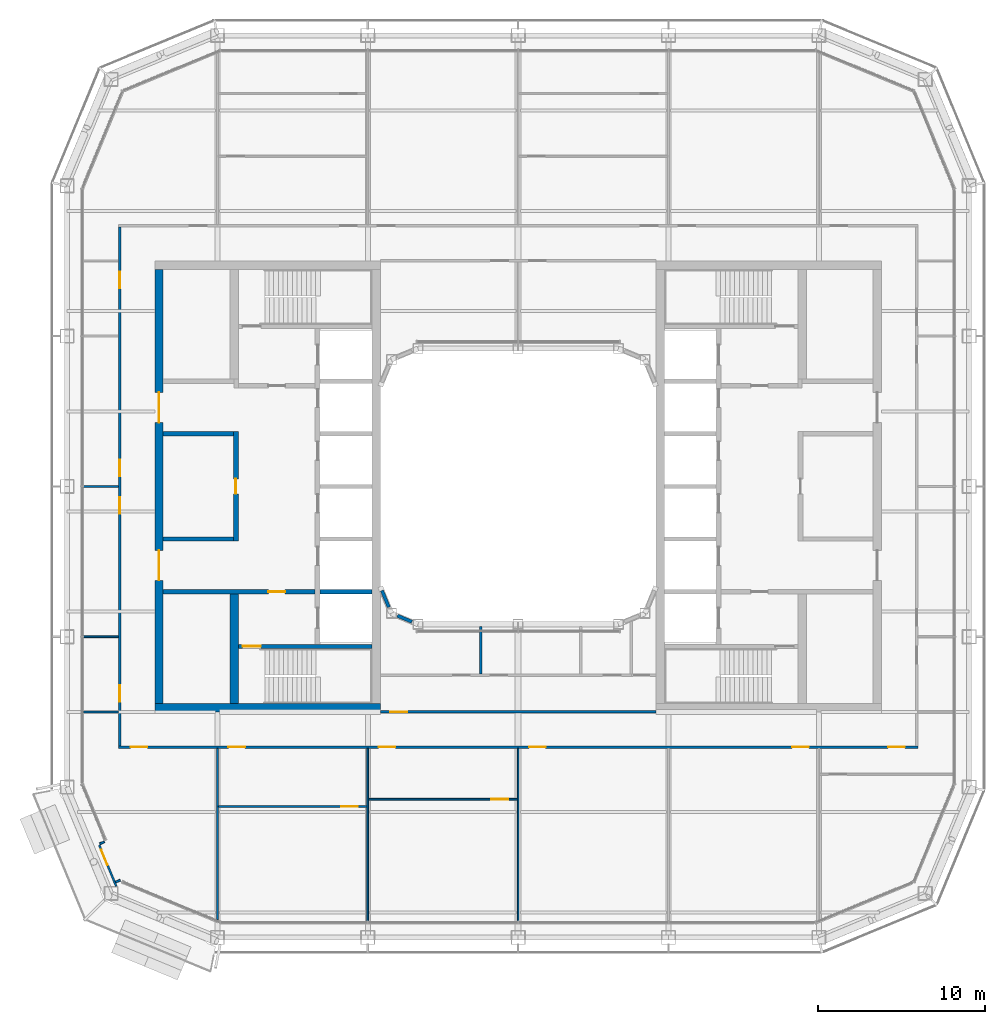
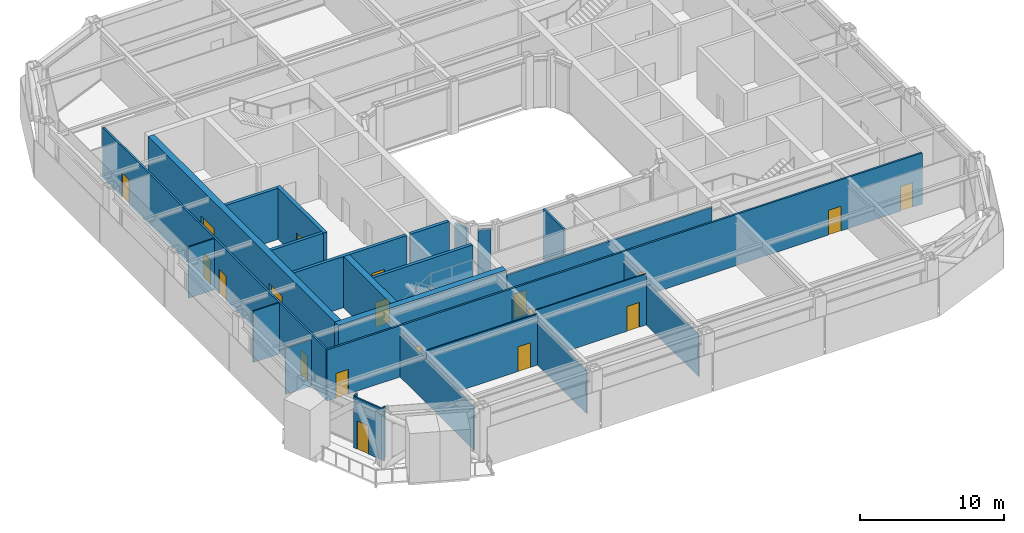
# One storey, part 13 of 23: 26 walls, 19 doors, 19 openings.
"""IFC4 building model written with IfcOpenShell, lengths in metres."""

from ifc_helpers import new_model, si_unit, direction, frame, frame_2d, origin, place, context, subcontext, project, spatial, rectangle, extrude, material, layer, layer_set, type_object, element, fill, save


model = new_model("IFC4")

# Units and contexts
model_context = context("Model", 3, precision=1e-05, world=origin(), true_north=direction((0.0, 1.0)))
body_context = subcontext(model_context, "Body", "Model", "MODEL_VIEW")
ifc_project = project(units=[si_unit("LENGTHUNIT", "METRE"), si_unit("AREAUNIT", "SQUARE_METRE"), si_unit("VOLUMEUNIT", "CUBIC_METRE"), si_unit("PLANEANGLEUNIT", "RADIAN"), si_unit("MASSUNIT", "GRAM", prefix="KILO")], contexts=[model_context])

# Site, building, storey
site_placement = place(None, origin())
site = spatial("IfcSite", under=ifc_project, at=site_placement, CompositionType="ELEMENT")
building_placement = place(site_placement, origin())
building = spatial("IfcBuilding", under=site, at=building_placement, Name="Siwar Civic Tower", CompositionType="ELEMENT")
storey_placement = place(building_placement, frame((0.0, 0.0, 233.199951171875)))
storey = spatial("IfcBuildingStorey", under=building, at=storey_placement, Name="L50", CompositionType="ELEMENT", Elevation=233.199951171875)

# Wall, opening, door
ifc_material_1 = material(Name="Concrete C60/75", Category="concrete")
ifc_layer_1 = layer(ifc_material_1, 0.25)
ifc_layer_set_1 = layer_set([ifc_layer_1], Name="Concrete C60/75")
wall_type_1 = type_object("IfcWallType", Name="CORE-WALL-RC250", PredefinedType="SHEAR", material=ifc_layer_set_1)
wall_1_placement = place(storey_placement, frame((-12.14990234375, -6.300048828125, 0.0), z_axis=(0.0, 0.0, 1.0), x_axis=(-1.0, 0.0, 0.0)))
wall_1 = element("IfcWall", 1, at=wall_1_placement, inside=storey, type_object=wall_type_1, Name="Core wall W", PredefinedType="SHEAR", context=body_context, shape_type="SweptSolid", body=[
    extrude(rectangle(XDim=9.10009765625, YDim=0.25, at=frame_2d((4.550048828125, 0.0))), origin(), (0.0, 0.0, 1.0), 4.35009765625),
])
opening_1_placement = place(wall_1_placement, frame((1.800048828125, 0.0, 0.0)))
opening_1 = element("IfcOpeningElement", 2, at=opening_1_placement, cuts=wall_1, Name="Opening L50-CW02", PredefinedType="OPENING", context=body_context, shape_type="SweptSolid", body=[
    extrude(rectangle(XDim=1.0, YDim=2.10009765625, at=frame_2d((0.5, 1.050048828125))), frame((0.0, 0.135009765625, 0.0), z_axis=(0.0, -1.0, 0.0), x_axis=(1.0, 0.0, 0.0)), (0.0, 0.0, 1.0), 0.27001953125),
])
ifc_material_2 = material(Name="Steel door leaf", Category="steel")
door_type_1 = type_object("IfcDoorType", Name="CORE-DOOR-FD30S", OperationType="SINGLE_SWING_LEFT", PredefinedType="DOOR", material=ifc_material_2)
door_1_placement = place(opening_1_placement, origin())
door_1 = element("IfcDoor", 3, at=door_1_placement, inside=storey, type_object=door_type_1, Name="Service lobby door L50-CW02", OperationType="SINGLE_SWING_RIGHT", OverallHeight=2.10009765625, OverallWidth=1.0, PredefinedType="DOOR", context=body_context, shape_type="SweptSolid", body=[
    extrude(rectangle(XDim=1.0, YDim=2.10009765625, at=frame_2d((0.5, 1.050048828125))), frame((0.0, 0.02490234375, 0.0), z_axis=(0.0, -1.0, 0.0), x_axis=(1.0, 0.0, 0.0)), (0.0, 0.0, 1.0), 0.050048828125),
])
fill(opening_1, door_1)

# Walls
for number, where, z_axis, x_axis, name in (
    (4, (-17.050048828125, 3.14990234375, 0.0), (0.0, 0.0, 1.0), (-1.0, 0.0, 0.0), "Core wall W"),
    (5, (-17.050048828125, -3.14990234375, 0.0), (0.0, 0.0, 1.0), (-1.0, 0.0, 0.0), "Core wall W"),
):
    element("IfcWall", number, at=place(storey_placement, frame(where, z_axis=z_axis, x_axis=x_axis)), inside=storey, type_object=wall_type_1, Name=name, PredefinedType="SHEAR", context=body_context, shape_type="SweptSolid", body=[
        extrude(rectangle(XDim=4.199951171875, YDim=0.25, at=frame_2d((2.10009765625, 0.0))), origin(), (0.0, 0.0, 1.0), 4.35009765625),
    ])
wall_2_placement = place(storey_placement, frame((-8.75, -6.300048828125, 0.0), z_axis=(0.0, 0.0, 1.0), x_axis=(-1.0, 0.0, 0.0)))
element("IfcWall", 6, at=wall_2_placement, inside=storey, type_object=wall_type_1, Name="Core wall W", PredefinedType="SHEAR", context=body_context, shape_type="SweptSolid", body=[
    extrude(rectangle(XDim=3.10009765625, YDim=0.25, at=frame_2d((1.550048828125, 0.0))), origin(), (0.0, 0.0, 1.0), 4.35009765625),
])

# Wall, opening, door
wall_3_placement = place(storey_placement, frame((-8.75, -9.574951171875, 0.0), z_axis=(0.0, 0.0, 1.0), x_axis=(-1.0, 0.0, 0.0)))
wall_3 = element("IfcWall", 7, at=wall_3_placement, inside=storey, type_object=wall_type_1, Name="Core wall W", PredefinedType="SHEAR", context=body_context, shape_type="SweptSolid", body=[
    extrude(rectangle(XDim=8.0, YDim=0.25, at=frame_2d((4.0, 0.0))), origin(), (0.0, 0.0, 1.0), 4.35009765625),
])
opening_2_placement = place(wall_3_placement, frame((6.64990234375, 0.0, 0.0)))
opening_2 = element("IfcOpeningElement", 8, at=opening_2_placement, cuts=wall_3, Name="Opening L50-CW04", PredefinedType="OPENING", context=body_context, shape_type="SweptSolid", body=[
    extrude(rectangle(XDim=1.10009765625, YDim=2.10009765625, at=frame_2d((0.550048828125, 1.050048828125))), frame((0.0, 0.135009765625, 0.0), z_axis=(0.0, -1.0, 0.0), x_axis=(1.0, 0.0, 0.0)), (0.0, 0.0, 1.0), 0.27001953125),
])
ifc_material_3 = material(Name="Steel door leaf", Category="steel")
door_type_2 = type_object("IfcDoorType", Name="CORE-DOOR-FD60S", OperationType="SINGLE_SWING_LEFT", PredefinedType="DOOR", material=ifc_material_3)
door_2_placement = place(opening_2_placement, origin())
door_2 = element("IfcDoor", 9, at=door_2_placement, inside=storey, type_object=door_type_2, Name="Stair door L50-CW04", OperationType="SINGLE_SWING_LEFT", OverallHeight=2.10009765625, OverallWidth=1.10009765625, PredefinedType="DOOR", context=body_context, shape_type="SweptSolid", body=[
    extrude(rectangle(XDim=1.10009765625, YDim=2.10009765625, at=frame_2d((0.550048828125, 1.050048828125))), frame((0.0, 0.02490234375, 0.0), z_axis=(0.0, -1.0, 0.0), x_axis=(1.0, 0.0, 0.0)), (0.0, 0.0, 1.0), 0.050048828125),
])
fill(opening_2, door_2)

ifc_material_4 = material(Name="Concrete C60/75", Category="concrete")
ifc_layer_2 = layer(ifc_material_4, 0.300048828125)
ifc_layer_set_2 = layer_set([ifc_layer_2], Name="Concrete C60/75")
wall_type_2 = type_object("IfcWallType", Name="CORE-WALL-RC300", PredefinedType="SHEAR", material=ifc_layer_set_2)
wall_4_placement = place(storey_placement, frame((-16.89990234375, -3.27490234375, 0.0), z_axis=(0.0, 0.0, 1.0), x_axis=(0.0, 1.0, 0.0)))
wall_4 = element("IfcWall", 10, at=wall_4_placement, inside=storey, type_object=wall_type_2, Name="Core wall W", PredefinedType="SHEAR", context=body_context, shape_type="SweptSolid", body=[
    extrude(rectangle(XDim=6.5498046875, YDim=0.300048828125, at=frame_2d((3.27490234375, 0.0))), origin(), (0.0, 0.0, 1.0), 4.35009765625),
])
opening_3_placement = place(wall_4_placement, frame((2.824951171875, 0.0, 0.0)))
opening_3 = element("IfcOpeningElement", 11, at=opening_3_placement, cuts=wall_4, Name="Opening L50-CW13", PredefinedType="OPENING", context=body_context, shape_type="SweptSolid", body=[
    extrude(rectangle(XDim=0.89990234375, YDim=2.10009765625, at=frame_2d((0.449951171875, 1.050048828125))), frame((0.0, 0.16015625, 0.0), z_axis=(0.0, -1.0, 0.0), x_axis=(1.0, 0.0, 0.0)), (0.0, 0.0, 1.0), 0.320068359375),
])
ifc_material_5 = material(Name="Steel door leaf", Category="steel")
door_type_3 = type_object("IfcDoorType", Name="CORE-DOOR-ROOM", OperationType="SINGLE_SWING_LEFT", PredefinedType="DOOR", material=ifc_material_5)
door_3_placement = place(opening_3_placement, origin())
door_3 = element("IfcDoor", 12, at=door_3_placement, inside=storey, type_object=door_type_3, Name="Core room door L50-CW13", OperationType="SINGLE_SWING_RIGHT", OverallHeight=2.10009765625, OverallWidth=0.89990234375, PredefinedType="DOOR", context=body_context, shape_type="SweptSolid", body=[
    extrude(rectangle(XDim=0.89990234375, YDim=2.10009765625, at=frame_2d((0.449951171875, 1.050048828125))), frame((0.0, 0.02490234375, 0.0), z_axis=(0.0, -1.0, 0.0), x_axis=(1.0, 0.0, 0.0)), (0.0, 0.0, 1.0), 0.050048828125),
])
fill(opening_3, door_3)

# Wall, openings, doors
ifc_material_6 = material(Name="Concrete C60/75", Category="concrete")
ifc_layer_3 = layer(ifc_material_6, 0.5)
ifc_layer_set_3 = layer_set([ifc_layer_3], Name="Concrete C60/75")
wall_type_3 = type_object("IfcWallType", Name="CORE-WALL-RC500", PredefinedType="SHEAR", material=ifc_layer_set_3)
wall_5_placement = place(storey_placement, frame((-21.5, -13.0, 0.0), z_axis=(0.0, 0.0, 1.0), x_axis=(0.0, 1.0, 0.0)))
wall_5 = element("IfcWall", 13, at=wall_5_placement, inside=storey, type_object=wall_type_3, Name="Core wall W", PredefinedType="SHEAR", context=body_context, shape_type="SweptSolid", body=[
    extrude(rectangle(XDim=26.0, YDim=0.5, at=frame_2d((13.0, 0.0))), origin(), (0.0, 0.0, 1.0), 4.35009765625),
])
opening_4_placement = place(wall_5_placement, frame((16.824951171875, 0.0, 0.0)))
opening_4 = element("IfcOpeningElement", 14, at=opening_4_placement, cuts=wall_5, Name="Opening L50-CW05", PredefinedType="OPENING", context=body_context, shape_type="SweptSolid", body=[
    extrude(rectangle(XDim=1.800048828125, YDim=2.10009765625, at=frame_2d((0.89990234375, 1.050048828125))), frame((0.0, 0.260009765625, 0.0), z_axis=(0.0, -1.0, 0.0), x_axis=(1.0, 0.0, 0.0)), (0.0, 0.0, 1.0), 0.52001953125),
])
opening_5_placement = place(wall_5_placement, frame((7.375, 0.0, 0.0)))
opening_5 = element("IfcOpeningElement", 15, at=opening_5_placement, cuts=wall_5, Name="Opening L50-CW06", PredefinedType="OPENING", context=body_context, shape_type="SweptSolid", body=[
    extrude(rectangle(XDim=1.800048828125, YDim=2.10009765625, at=frame_2d((0.89990234375, 1.050048828125))), frame((0.0, 0.260009765625, 0.0), z_axis=(0.0, -1.0, 0.0), x_axis=(1.0, 0.0, 0.0)), (0.0, 0.0, 1.0), 0.52001953125),
])
ifc_material_7 = material(Name="Steel door leaf", Category="steel")
door_type_4 = type_object("IfcDoorType", Name="CORE-DOOR-PORT", OperationType="DOUBLE_DOOR_DOUBLE_SWING", PredefinedType="DOOR", material=ifc_material_7)
door_4_placement = place(opening_4_placement, origin())
door_4 = element("IfcDoor", 16, at=door_4_placement, inside=storey, type_object=door_type_4, Name="Core entrance door L50-CW05", OperationType="DOUBLE_DOOR_DOUBLE_SWING", OverallHeight=2.10009765625, OverallWidth=1.800048828125, PredefinedType="DOOR", context=body_context, shape_type="SweptSolid", body=[
    extrude(rectangle(XDim=1.800048828125, YDim=2.10009765625, at=frame_2d((0.89990234375, 1.050048828125))), frame((0.0, 0.02490234375, 0.0), z_axis=(0.0, -1.0, 0.0), x_axis=(1.0, 0.0, 0.0)), (0.0, 0.0, 1.0), 0.050048828125),
])
fill(opening_4, door_4)
door_5_placement = place(opening_5_placement, origin())
door_5 = element("IfcDoor", 17, at=door_5_placement, inside=storey, type_object=door_type_4, Name="Core entrance door L50-CW06", OperationType="DOUBLE_DOOR_DOUBLE_SWING", OverallHeight=2.10009765625, OverallWidth=1.800048828125, PredefinedType="DOOR", context=body_context, shape_type="SweptSolid", body=[
    extrude(rectangle(XDim=1.800048828125, YDim=2.10009765625, at=frame_2d((0.89990234375, 1.050048828125))), frame((0.0, 0.02490234375, 0.0), z_axis=(0.0, -1.0, 0.0), x_axis=(1.0, 0.0, 0.0)), (0.0, 0.0, 1.0), 0.050048828125),
])
fill(opening_5, door_5)

# Walls
wall_6_placement = place(storey_placement, frame((-17.0, -13.0, 0.0), z_axis=(0.0, 0.0, 1.0), x_axis=(0.0, 1.0, 0.0)))
element("IfcWall", 18, at=wall_6_placement, inside=storey, type_object=wall_type_3, Name="Core wall W", PredefinedType="SHEAR", context=body_context, shape_type="SweptSolid", body=[
    extrude(rectangle(XDim=6.574951171875, YDim=0.5, at=frame_2d((3.28759765625, 0.0))), origin(), (0.0, 0.0, 1.0), 4.35009765625),
])
wall_7_placement = place(storey_placement, frame((-8.25, -13.25, 0.0), z_axis=(0.0, 0.0, 1.0), x_axis=(-1.0, 0.0, 0.0)))
element("IfcWall", 19, at=wall_7_placement, inside=storey, type_object=wall_type_3, Name="Core wall W", PredefinedType="SHEAR", context=body_context, shape_type="SweptSolid", body=[
    extrude(rectangle(XDim=13.5, YDim=0.5, at=frame_2d((6.75, 0.0))), origin(), (0.0, 0.0, 1.0), 4.35009765625),
])

# Wall, openings, doors
ifc_material_8 = material(Name="Gypsum board on steel studs", Category="steel")
ifc_layer_4 = layer(ifc_material_8, 0.14990234375)
ifc_layer_set_4 = layer_set([ifc_layer_4], Name="Gypsum board on steel studs")
wall_type_4 = type_object("IfcWallType", Name="CORRIDOR PARTITION 150 EI 30", PredefinedType="PARTITIONING", material=ifc_layer_set_4)
wall_8_placement = place(storey_placement, frame((-23.925048828125, -15.60009765625, 0.0), z_axis=(0.0, 0.0, 1.0), x_axis=(1.0, 0.0, 0.0)))
wall_8 = element("IfcWall", 20, at=wall_8_placement, inside=storey, type_object=wall_type_4, Name="L50/wall/P04", PredefinedType="PARTITIONING", context=body_context, shape_type="SweptSolid", body=[
    extrude(rectangle(XDim=47.85009765625, YDim=0.14990234375, at=frame_2d((23.925048828125, 0.0))), origin(), (0.0, 0.0, 1.0), 4.35009765625),
])
opening_6_placement = place(wall_8_placement, frame((6.574951171875, 0.0, 0.0)))
opening_6 = element("IfcOpeningElement", 21, at=opening_6_placement, cuts=wall_8, Name="Opening D1", PredefinedType="OPENING", context=body_context, shape_type="SweptSolid", body=[
    extrude(rectangle(XDim=1.0, YDim=2.10009765625, at=frame_2d((0.5, 1.050048828125))), frame((0.0, 0.0849609375, 0.0), z_axis=(0.0, -1.0, 0.0), x_axis=(1.0, 0.0, 0.0)), (0.0, 0.0, 1.0), 0.169921875),
])
opening_7_placement = place(wall_8_placement, frame((15.574951171875, 0.0, 0.0)))
opening_7 = element("IfcOpeningElement", 22, at=opening_7_placement, cuts=wall_8, Name="Opening D1", PredefinedType="OPENING", context=body_context, shape_type="SweptSolid", body=[
    extrude(rectangle(XDim=1.0, YDim=2.10009765625, at=frame_2d((0.5, 1.050048828125))), frame((0.0, 0.0849609375, 0.0), z_axis=(0.0, -1.0, 0.0), x_axis=(1.0, 0.0, 0.0)), (0.0, 0.0, 1.0), 0.169921875),
])
opening_8_placement = place(wall_8_placement, frame((24.574951171875, 0.0, 0.0)))
opening_8 = element("IfcOpeningElement", 23, at=opening_8_placement, cuts=wall_8, Name="Opening D1", PredefinedType="OPENING", context=body_context, shape_type="SweptSolid", body=[
    extrude(rectangle(XDim=1.0, YDim=2.10009765625, at=frame_2d((0.5, 1.050048828125))), frame((0.0, 0.0849609375, 0.0), z_axis=(0.0, -1.0, 0.0), x_axis=(1.0, 0.0, 0.0)), (0.0, 0.0, 1.0), 0.169921875),
])
opening_9_placement = place(wall_8_placement, frame((40.324951171875, 0.0, 0.0)))
opening_9 = element("IfcOpeningElement", 24, at=opening_9_placement, cuts=wall_8, Name="Opening D1", PredefinedType="OPENING", context=body_context, shape_type="SweptSolid", body=[
    extrude(rectangle(XDim=1.0, YDim=2.10009765625, at=frame_2d((0.5, 1.050048828125))), frame((0.0, 0.0849609375, 0.0), z_axis=(0.0, -1.0, 0.0), x_axis=(1.0, 0.0, 0.0)), (0.0, 0.0, 1.0), 0.169921875),
])
opening_10_placement = place(wall_8_placement, frame((0.72509765625, 0.0, 0.0)))
opening_10 = element("IfcOpeningElement", 25, at=opening_10_placement, cuts=wall_8, Name="Opening D1", PredefinedType="OPENING", context=body_context, shape_type="SweptSolid", body=[
    extrude(rectangle(XDim=1.0, YDim=2.10009765625, at=frame_2d((0.5, 1.050048828125))), frame((0.0, 0.0849609375, 0.0), z_axis=(0.0, -1.0, 0.0), x_axis=(1.0, 0.0, 0.0)), (0.0, 0.0, 1.0), 0.169921875),
])
opening_11_placement = place(wall_8_placement, frame((46.074951171875, 0.0, 0.0)))
opening_11 = element("IfcOpeningElement", 26, at=opening_11_placement, cuts=wall_8, Name="Opening D1", PredefinedType="OPENING", context=body_context, shape_type="SweptSolid", body=[
    extrude(rectangle(XDim=1.0, YDim=2.10009765625, at=frame_2d((0.5, 1.050048828125))), frame((0.0, 0.0849609375, 0.0), z_axis=(0.0, -1.0, 0.0), x_axis=(1.0, 0.0, 0.0)), (0.0, 0.0, 1.0), 0.169921875),
])
ifc_material_9 = material(Name="Timber, painted", Category="wood")
door_type_5 = type_object("IfcDoorType", Name="DOOR 1000 X 2100 FD30", OperationType="SINGLE_SWING_LEFT", PredefinedType="DOOR", material=ifc_material_9)
door_6_placement = place(opening_6_placement, origin())
door_6 = element("IfcDoor", 27, at=door_6_placement, inside=storey, type_object=door_type_5, Name="L50-D09", OperationType="SINGLE_SWING_LEFT", OverallHeight=2.10009765625, OverallWidth=1.0, PredefinedType="DOOR", context=body_context, shape_type="SweptSolid", body=[
    extrude(rectangle(XDim=1.0, YDim=2.10009765625, at=frame_2d((0.5, 1.050048828125))), frame((0.0, 0.02490234375, 0.0), z_axis=(0.0, -1.0, 0.0), x_axis=(1.0, 0.0, 0.0)), (0.0, 0.0, 1.0), 0.050048828125),
])
fill(opening_6, door_6)
door_7_placement = place(opening_7_placement, origin())
door_7 = element("IfcDoor", 28, at=door_7_placement, inside=storey, type_object=door_type_5, Name="L50-D11", OperationType="SINGLE_SWING_LEFT", OverallHeight=2.10009765625, OverallWidth=1.0, PredefinedType="DOOR", context=body_context, shape_type="SweptSolid", body=[
    extrude(rectangle(XDim=1.0, YDim=2.10009765625, at=frame_2d((0.5, 1.050048828125))), frame((0.0, 0.02490234375, 0.0), z_axis=(0.0, -1.0, 0.0), x_axis=(1.0, 0.0, 0.0)), (0.0, 0.0, 1.0), 0.050048828125),
])
fill(opening_7, door_7)
door_8_placement = place(opening_8_placement, origin())
door_8 = element("IfcDoor", 29, at=door_8_placement, inside=storey, type_object=door_type_5, Name="L50-D13", OperationType="SINGLE_SWING_LEFT", OverallHeight=2.10009765625, OverallWidth=1.0, PredefinedType="DOOR", context=body_context, shape_type="SweptSolid", body=[
    extrude(rectangle(XDim=1.0, YDim=2.10009765625, at=frame_2d((0.5, 1.050048828125))), frame((0.0, 0.02490234375, 0.0), z_axis=(0.0, -1.0, 0.0), x_axis=(1.0, 0.0, 0.0)), (0.0, 0.0, 1.0), 0.050048828125),
])
fill(opening_8, door_8)
door_9_placement = place(opening_9_placement, origin())
door_9 = element("IfcDoor", 30, at=door_9_placement, inside=storey, type_object=door_type_5, Name="L50-D14", OperationType="SINGLE_SWING_RIGHT", OverallHeight=2.10009765625, OverallWidth=1.0, PredefinedType="DOOR", context=body_context, shape_type="SweptSolid", body=[
    extrude(rectangle(XDim=1.0, YDim=2.10009765625, at=frame_2d((0.5, 1.050048828125))), frame((0.0, 0.02490234375, 0.0), z_axis=(0.0, -1.0, 0.0), x_axis=(1.0, 0.0, 0.0)), (0.0, 0.0, 1.0), 0.050048828125),
])
fill(opening_9, door_9)
door_10_placement = place(opening_10_placement, origin())
door_10 = element("IfcDoor", 31, at=door_10_placement, inside=storey, type_object=door_type_5, Name="L50-D17", OperationType="SINGLE_SWING_LEFT", OverallHeight=2.10009765625, OverallWidth=1.0, PredefinedType="DOOR", context=body_context, shape_type="SweptSolid", body=[
    extrude(rectangle(XDim=1.0, YDim=2.10009765625, at=frame_2d((0.5, 1.050048828125))), frame((0.0, 0.02490234375, 0.0), z_axis=(0.0, -1.0, 0.0), x_axis=(1.0, 0.0, 0.0)), (0.0, 0.0, 1.0), 0.050048828125),
])
fill(opening_10, door_10)
door_11_placement = place(opening_11_placement, origin())
door_11 = element("IfcDoor", 32, at=door_11_placement, inside=storey, type_object=door_type_5, Name="L50-D18", OperationType="SINGLE_SWING_RIGHT", OverallHeight=2.10009765625, OverallWidth=1.0, PredefinedType="DOOR", context=body_context, shape_type="SweptSolid", body=[
    extrude(rectangle(XDim=1.0, YDim=2.10009765625, at=frame_2d((0.5, 1.050048828125))), frame((0.0, 0.02490234375, 0.0), z_axis=(0.0, -1.0, 0.0), x_axis=(1.0, 0.0, 0.0)), (0.0, 0.0, 1.0), 0.050048828125),
])
fill(opening_11, door_11)

# Wall, opening, door
wall_9_placement = place(storey_placement, frame((-8.25, -13.5, 0.0), z_axis=(0.0, 0.0, 1.0), x_axis=(1.0, 0.0, 0.0)))
wall_9 = element("IfcWall", 33, at=wall_9_placement, inside=storey, type_object=wall_type_4, Name="L50/wall/P07", PredefinedType="PARTITIONING", context=body_context, shape_type="SweptSolid", body=[
    extrude(rectangle(XDim=16.5, YDim=0.14990234375, at=frame_2d((8.25, 0.0))), origin(), (0.0, 0.0, 1.0), 3.949951171875),
])
opening_12_placement = place(wall_9_placement, frame((0.60009765625, 0.0, 0.0)))
opening_12 = element("IfcOpeningElement", 34, at=opening_12_placement, cuts=wall_9, Name="Opening D1", PredefinedType="OPENING", context=body_context, shape_type="SweptSolid", body=[
    extrude(rectangle(XDim=1.0, YDim=2.10009765625, at=frame_2d((0.5, 1.050048828125))), frame((0.0, 0.0849609375, 0.0), z_axis=(0.0, -1.0, 0.0), x_axis=(1.0, 0.0, 0.0)), (0.0, 0.0, 1.0), 0.169921875),
])
door_12_placement = place(opening_12_placement, origin())
door_12 = element("IfcDoor", 35, at=door_12_placement, inside=storey, type_object=door_type_5, Name="L50-D30", OperationType="SINGLE_SWING_RIGHT", OverallHeight=2.10009765625, OverallWidth=1.0, PredefinedType="DOOR", context=body_context, shape_type="SweptSolid", body=[
    extrude(rectangle(XDim=1.0, YDim=2.10009765625, at=frame_2d((0.5, 1.050048828125))), frame((0.0, 0.02490234375, 0.0), z_axis=(0.0, -1.0, 0.0), x_axis=(1.0, 0.0, 0.0)), (0.0, 0.0, 1.0), 0.050048828125),
])
fill(opening_12, door_12)

# Wall, openings, doors
wall_10_placement = place(storey_placement, frame((-23.85009765625, -15.52490234375, 0.0), z_axis=(0.0, 0.0, 1.0), x_axis=(0.0, 1.0, 0.0)))
wall_10 = element("IfcWall", 36, at=wall_10_placement, inside=storey, type_object=wall_type_4, Name="L50/wall/P24", PredefinedType="PARTITIONING", context=body_context, shape_type="SweptSolid", body=[
    extrude(rectangle(XDim=31.0498046875, YDim=0.14990234375, at=frame_2d((15.52490234375, 0.0))), origin(), (0.0, 0.0, 1.0), 4.35009765625),
])
opening_13_placement = place(wall_10_placement, frame((2.625, 0.0, 0.0)))
opening_13 = element("IfcOpeningElement", 37, at=opening_13_placement, cuts=wall_10, Name="Opening D1", PredefinedType="OPENING", context=body_context, shape_type="SweptSolid", body=[
    extrude(rectangle(XDim=1.0, YDim=2.10009765625, at=frame_2d((0.5, 1.050048828125))), frame((0.0, 0.0849609375, 0.0), z_axis=(0.0, -1.0, 0.0), x_axis=(1.0, 0.0, 0.0)), (0.0, 0.0, 1.0), 0.169921875),
])
opening_14_placement = place(wall_10_placement, frame((13.875, 0.0, 0.0)))
opening_14 = element("IfcOpeningElement", 38, at=opening_14_placement, cuts=wall_10, Name="Opening D1", PredefinedType="OPENING", context=body_context, shape_type="SweptSolid", body=[
    extrude(rectangle(XDim=1.0, YDim=2.10009765625, at=frame_2d((0.5, 1.050048828125))), frame((0.0, 0.0849609375, 0.0), z_axis=(0.0, -1.0, 0.0), x_axis=(1.0, 0.0, 0.0)), (0.0, 0.0, 1.0), 0.169921875),
])
opening_15_placement = place(wall_10_placement, frame((16.125, 0.0, 0.0)))
opening_15 = element("IfcOpeningElement", 39, at=opening_15_placement, cuts=wall_10, Name="Opening D1", PredefinedType="OPENING", context=body_context, shape_type="SweptSolid", body=[
    extrude(rectangle(XDim=1.0, YDim=2.10009765625, at=frame_2d((0.5, 1.050048828125))), frame((0.0, 0.0849609375, 0.0), z_axis=(0.0, -1.0, 0.0), x_axis=(1.0, 0.0, 0.0)), (0.0, 0.0, 1.0), 0.169921875),
])
opening_16_placement = place(wall_10_placement, frame((27.375, 0.0, 0.0)))
opening_16 = element("IfcOpeningElement", 40, at=opening_16_placement, cuts=wall_10, Name="Opening D1", PredefinedType="OPENING", context=body_context, shape_type="SweptSolid", body=[
    extrude(rectangle(XDim=1.0, YDim=2.10009765625, at=frame_2d((0.5, 1.050048828125))), frame((0.0, 0.0849609375, 0.0), z_axis=(0.0, -1.0, 0.0), x_axis=(1.0, 0.0, 0.0)), (0.0, 0.0, 1.0), 0.169921875),
])
door_13_placement = place(opening_13_placement, origin())
door_13 = element("IfcDoor", 41, at=door_13_placement, inside=storey, type_object=door_type_5, Name="L50-D20", OperationType="SINGLE_SWING_RIGHT", OverallHeight=2.10009765625, OverallWidth=1.0, PredefinedType="DOOR", context=body_context, shape_type="SweptSolid", body=[
    extrude(rectangle(XDim=1.0, YDim=2.10009765625, at=frame_2d((0.5, 1.050048828125))), frame((0.0, 0.02490234375, 0.0), z_axis=(0.0, -1.0, 0.0), x_axis=(1.0, 0.0, 0.0)), (0.0, 0.0, 1.0), 0.050048828125),
])
fill(opening_13, door_13)
door_14_placement = place(opening_14_placement, origin())
door_14 = element("IfcDoor", 42, at=door_14_placement, inside=storey, type_object=door_type_5, Name="L50-D21", OperationType="SINGLE_SWING_LEFT", OverallHeight=2.10009765625, OverallWidth=1.0, PredefinedType="DOOR", context=body_context, shape_type="SweptSolid", body=[
    extrude(rectangle(XDim=1.0, YDim=2.10009765625, at=frame_2d((0.5, 1.050048828125))), frame((0.0, 0.02490234375, 0.0), z_axis=(0.0, -1.0, 0.0), x_axis=(1.0, 0.0, 0.0)), (0.0, 0.0, 1.0), 0.050048828125),
])
fill(opening_14, door_14)
door_15_placement = place(opening_15_placement, origin())
door_15 = element("IfcDoor", 43, at=door_15_placement, inside=storey, type_object=door_type_5, Name="L50-D22", OperationType="SINGLE_SWING_RIGHT", OverallHeight=2.10009765625, OverallWidth=1.0, PredefinedType="DOOR", context=body_context, shape_type="SweptSolid", body=[
    extrude(rectangle(XDim=1.0, YDim=2.10009765625, at=frame_2d((0.5, 1.050048828125))), frame((0.0, 0.02490234375, 0.0), z_axis=(0.0, -1.0, 0.0), x_axis=(1.0, 0.0, 0.0)), (0.0, 0.0, 1.0), 0.050048828125),
])
fill(opening_15, door_15)
door_16_placement = place(opening_16_placement, origin())
door_16 = element("IfcDoor", 44, at=door_16_placement, inside=storey, type_object=door_type_5, Name="L50-D23", OperationType="SINGLE_SWING_LEFT", OverallHeight=2.10009765625, OverallWidth=1.0, PredefinedType="DOOR", context=body_context, shape_type="SweptSolid", body=[
    extrude(rectangle(XDim=1.0, YDim=2.10009765625, at=frame_2d((0.5, 1.050048828125))), frame((0.0, 0.02490234375, 0.0), z_axis=(0.0, -1.0, 0.0), x_axis=(1.0, 0.0, 0.0)), (0.0, 0.0, 1.0), 0.050048828125),
])
fill(opening_16, door_16)

# Walls
wall_11_placement = place(storey_placement, frame((-2.25, -11.22509765625, 0.0), z_axis=(0.0, 0.0, 1.0), x_axis=(0.0, 1.0, 0.0)))
element("IfcWall", 45, at=wall_11_placement, inside=storey, type_object=wall_type_4, Name="L50/wall/P29", PredefinedType="PARTITIONING", context=body_context, shape_type="SweptSolid", body=[
    extrude(rectangle(XDim=2.85498046875, YDim=0.14990234375, at=frame_2d((1.427490234375, 0.0))), origin(), (0.0, 0.0, 1.0), 4.35009765625),
])
ifc_material_10 = material(Name="Aluminium clad insulated panel", Category="aluminium")
ifc_layer_5 = layer(ifc_material_10, 0.1201171875)
ifc_layer_set_5 = layer_set([ifc_layer_5], Name="Aluminium clad insulated panel")
wall_type_5 = type_object("IfcWallType", Name="ENV-WALL-BAL", PredefinedType="STANDARD", material=ifc_layer_set_5)
wall_12_placement = place(storey_placement, frame((-24.766357421875, -21.27587890625, 0.0), z_axis=(0.0, 0.0, 1.0), x_axis=(-0.923917630863, -0.382591441855, 0.0)))
element("IfcWall", 46, at=wall_12_placement, inside=storey, type_object=wall_type_5, Name="Balcony door wall return SW1", PredefinedType="STANDARD", context=body_context, shape_type="SweptSolid", body=[
    extrude(rectangle(XDim=0.2998046875, YDim=0.1201171875, at=frame_2d((0.14990234375, 0.0))), origin(), (0.0, 0.0, 1.0), 4.35009765625),
])
wall_13_placement = place(storey_placement, frame((-23.817626953125, -23.56640625, 0.0), z_axis=(0.0, 0.0, 1.0), x_axis=(-0.923629715641, -0.383285987724, 0.0)))
element("IfcWall", 47, at=wall_13_placement, inside=storey, type_object=wall_type_5, Name="Balcony door wall return SW1", PredefinedType="STANDARD", context=body_context, shape_type="SweptSolid", body=[
    extrude(rectangle(XDim=0.300048828125, YDim=0.1201171875, at=frame_2d((0.14990234375, 0.0))), origin(), (0.0, 0.0, 1.0), 4.35009765625),
])

# Wall, opening, door
wall_14_placement = place(storey_placement, frame((-25.075927734375, -21.468994140625, 0.0), z_axis=(0.0, 0.0, 1.0), x_axis=(0.382636771556, -0.923898858671, 0.0)))
wall_14 = element("IfcWall", 48, at=wall_14_placement, inside=storey, type_object=wall_type_5, Name="Balcony door wall SW1", PredefinedType="STANDARD", context=body_context, shape_type="SweptSolid", body=[
    extrude(rectangle(XDim=2.67333984375, YDim=0.1201171875, at=frame_2d((1.336669921875, 0.0))), origin(), (0.0, 0.0, 1.0), 4.35009765625),
])
opening_17_placement = place(wall_14_placement, frame((0.300048828125, 0.0, 0.0)))
opening_17 = element("IfcOpeningElement", 49, at=opening_17_placement, cuts=wall_14, Name="Opening D-BAL", PredefinedType="OPENING", context=body_context, shape_type="SweptSolid", body=[
    extrude(rectangle(XDim=1.0, YDim=2.39990234375, at=frame_2d((0.5, 1.199951171875))), frame((0.0, 0.070068359375, 0.0), z_axis=(0.0, -1.0, 0.0), x_axis=(1.0, 0.0, 0.0)), (0.0, 0.0, 1.0), 0.14013671875),
])
ifc_material_11 = material(Name="Aluminium and glass", Category="aluminium")
door_type_6 = type_object("IfcDoorType", Name="ENV-DOOR-BAL", OperationType="SINGLE_SWING_LEFT", PredefinedType="DOOR", material=ifc_material_11)
door_17_placement = place(opening_17_placement, origin())
door_17 = element("IfcDoor", 50, at=door_17_placement, inside=storey, type_object=door_type_6, Name="Balcony door SW", OperationType="SINGLE_SWING_LEFT", OverallHeight=2.39990234375, OverallWidth=1.0, PredefinedType="DOOR", context=body_context, shape_type="SweptSolid", body=[
    extrude(rectangle(XDim=1.0, YDim=2.39990234375, at=frame_2d((0.5, 1.199951171875))), frame((0.0, 0.02490234375, 0.0), z_axis=(0.0, -1.0, 0.0), x_axis=(1.0, 0.0, 0.0)), (0.0, 0.0, 1.0), 0.050048828125),
])
fill(opening_17, door_17)

# Walls
ifc_material_12 = material(Name="Aluminium clad insulated panel", Category="aluminium")
ifc_layer_6 = layer(ifc_material_12, 0.199951171875)
ifc_layer_set_6 = layer_set([ifc_layer_6], Name="Aluminium clad insulated panel")
wall_type_6 = type_object("IfcWallType", Name="ENV-WALL-WELL", PredefinedType="STANDARD", material=ifc_layer_set_6)
wall_15_placement = place(storey_placement, frame((-8.154296875, -6.23095703125, 0.0), z_axis=(0.0, 0.0, 1.0), x_axis=(0.382704496366, -0.923870807235, 0.0)))
element("IfcWall", 51, at=wall_15_placement, inside=storey, type_object=wall_type_6, Name="Light well corner wall SW1", PredefinedType="STANDARD", context=body_context, shape_type="SweptSolid", body=[
    extrude(rectangle(XDim=1.080078125, YDim=0.199951171875, at=frame_2d((0.5400390625, 0.0))), origin(), (0.0, 0.0, 1.0), 3.91796875),
])
wall_16_placement = place(storey_placement, frame((-7.228759765625, -7.740966796875, 0.0), z_axis=(0.0, 0.0, 1.0), x_axis=(0.923829670615, -0.382803787458, 0.0)))
element("IfcWall", 52, at=wall_16_placement, inside=storey, type_object=wall_type_6, Name="Light well corner wall SW2", PredefinedType="STANDARD", context=body_context, shape_type="SweptSolid", body=[
    extrude(rectangle(XDim=0.938232421875, YDim=0.199951171875, at=frame_2d((0.46923828125, 0.0))), origin(), (0.0, 0.0, 1.0), 3.91796875),
])

# Wall, opening, door
ifc_material_13 = material(Name="Gypsum board on steel studs", Category="steel")
ifc_layer_7 = layer(ifc_material_13, 0.10009765625)
ifc_layer_set_7 = layer_set([ifc_layer_7], Name="Gypsum board on steel studs")
wall_type_7 = type_object("IfcWallType", Name="PARTITION 100 GYPSUM", PredefinedType="PARTITIONING", material=ifc_layer_set_7)
wall_17_placement = place(storey_placement, frame((-17.949951171875, -19.159912109375, 0.0), z_axis=(0.0, 0.0, 1.0), x_axis=(1.0, 0.0, 0.0)))
wall_17 = element("IfcWall", 53, at=wall_17_placement, inside=storey, type_object=wall_type_7, Name="L50/wall/P01", PredefinedType="PARTITIONING", context=body_context, shape_type="SweptSolid", body=[
    extrude(rectangle(XDim=8.89990234375, YDim=0.10009765625, at=frame_2d((4.449951171875, 0.0))), origin(), (0.0, 0.0, 1.0), 4.35009765625),
])
opening_18_placement = place(wall_17_placement, frame((7.35009765625, 0.0, 0.0)))
opening_18 = element("IfcOpeningElement", 54, at=opening_18_placement, cuts=wall_17, Name="Opening D2", PredefinedType="OPENING", context=body_context, shape_type="SweptSolid", body=[
    extrude(rectangle(XDim=1.0, YDim=2.10009765625, at=frame_2d((0.5, 1.050048828125))), frame((0.0, 0.06005859375, 0.0), z_axis=(0.0, -1.0, 0.0), x_axis=(1.0, 0.0, 0.0)), (0.0, 0.0, 1.0), 0.1201171875),
])
ifc_material_14 = material(Name="Timber, painted", Category="wood")
door_type_7 = type_object("IfcDoorType", Name="DOOR 1000 X 2100", OperationType="SINGLE_SWING_LEFT", PredefinedType="DOOR", material=ifc_material_14)
door_18_placement = place(opening_18_placement, origin())
door_18 = element("IfcDoor", 55, at=door_18_placement, inside=storey, type_object=door_type_7, Name="L50-D10", OperationType="SINGLE_SWING_RIGHT", OverallHeight=2.10009765625, OverallWidth=1.0, PredefinedType="DOOR", context=body_context, shape_type="SweptSolid", body=[
    extrude(rectangle(XDim=1.0, YDim=2.10009765625, at=frame_2d((0.5, 1.050048828125))), frame((0.0, 0.02490234375, 0.0), z_axis=(0.0, -1.0, 0.0), x_axis=(1.0, 0.0, 0.0)), (0.0, 0.0, 1.0), 0.050048828125),
])
fill(opening_18, door_18)

wall_18_placement = place(storey_placement, frame((-8.949951171875, -18.722900390625, 0.0), z_axis=(0.0, 0.0, 1.0), x_axis=(1.0, 0.0, 0.0)))
wall_18 = element("IfcWall", 56, at=wall_18_placement, inside=storey, type_object=wall_type_7, Name="L50/wall/P02", PredefinedType="PARTITIONING", context=body_context, shape_type="SweptSolid", body=[
    extrude(rectangle(XDim=8.89990234375, YDim=0.10009765625, at=frame_2d((4.449951171875, 0.0))), origin(), (0.0, 0.0, 1.0), 4.35009765625),
])
opening_19_placement = place(wall_18_placement, frame((7.35009765625, 0.0, 0.0)))
opening_19 = element("IfcOpeningElement", 57, at=opening_19_placement, cuts=wall_18, Name="Opening D2", PredefinedType="OPENING", context=body_context, shape_type="SweptSolid", body=[
    extrude(rectangle(XDim=1.0, YDim=2.10009765625, at=frame_2d((0.5, 1.050048828125))), frame((0.0, 0.06005859375, 0.0), z_axis=(0.0, -1.0, 0.0), x_axis=(1.0, 0.0, 0.0)), (0.0, 0.0, 1.0), 0.1201171875),
])
door_19_placement = place(opening_19_placement, origin())
door_19 = element("IfcDoor", 58, at=door_19_placement, inside=storey, type_object=door_type_7, Name="L50-D12", OperationType="SINGLE_SWING_RIGHT", OverallHeight=2.10009765625, OverallWidth=1.0, PredefinedType="DOOR", context=body_context, shape_type="SweptSolid", body=[
    extrude(rectangle(XDim=1.0, YDim=2.10009765625, at=frame_2d((0.5, 1.050048828125))), frame((0.0, 0.02490234375, 0.0), z_axis=(0.0, -1.0, 0.0), x_axis=(1.0, 0.0, 0.0)), (0.0, 0.0, 1.0), 0.050048828125),
])
fill(opening_19, door_19)

# Walls
wall_19_placement = place(storey_placement, frame((-26.010009765625, -13.5, 0.0), z_axis=(0.0, 0.0, 1.0), x_axis=(1.0, 0.0, 0.0)))
element("IfcWall", 59, at=wall_19_placement, inside=storey, type_object=wall_type_7, Name="L50/wall/P05", PredefinedType="PARTITIONING", context=body_context, shape_type="SweptSolid", body=[
    extrude(rectangle(XDim=2.0849609375, YDim=0.10009765625, at=frame_2d((1.04248046875, 0.0))), origin(), (0.0, 0.0, 1.0), 3.949951171875),
])
for number, where, z_axis, x_axis, name in (
    (60, (-26.010009765625, -9.0, 0.0), (0.0, 0.0, 1.0), (1.0, 0.0, 0.0), "L50/wall/P10"),
    (61, (-26.010009765625, 0.0, 0.0), (0.0, 0.0, 1.0), (1.0, 0.0, 0.0), "L50/wall/P12"),
):
    element("IfcWall", number, at=place(storey_placement, frame(where, z_axis=z_axis, x_axis=x_axis)), inside=storey, type_object=wall_type_7, Name=name, PredefinedType="PARTITIONING", context=body_context, shape_type="SweptSolid", body=[
        extrude(rectangle(XDim=2.0849609375, YDim=0.10009765625, at=frame_2d((1.04248046875, 0.0))), origin(), (0.0, 0.0, 1.0), 4.35009765625),
    ])
wall_20_placement = place(storey_placement, frame((-18.0, -25.927978515625, 0.0), z_axis=(0.0, 0.0, 1.0), x_axis=(0.0, 1.0, 0.0)))
element("IfcWall", 62, at=wall_20_placement, inside=storey, type_object=wall_type_7, Name="L50/wall/P25", PredefinedType="PARTITIONING", context=body_context, shape_type="SweptSolid", body=[
    extrude(rectangle(XDim=10.2529296875, YDim=0.10009765625, at=frame_2d((5.12646484375, 0.0))), origin(), (0.0, 0.0, 1.0), 3.650146484375),
])
wall_21_placement = place(storey_placement, frame((-9.0, -26.010009765625, 0.0), z_axis=(0.0, 0.0, 1.0), x_axis=(0.0, 1.0, 0.0)))
element("IfcWall", 63, at=wall_21_placement, inside=storey, type_object=wall_type_7, Name="L50/wall/P27", PredefinedType="PARTITIONING", context=body_context, shape_type="SweptSolid", body=[
    extrude(rectangle(XDim=10.3349609375, YDim=0.10009765625, at=frame_2d((5.16748046875, 0.0))), origin(), (0.0, 0.0, 1.0), 3.650146484375),
])
wall_22_placement = place(storey_placement, frame((0.0, -26.010009765625, 0.0), z_axis=(0.0, 0.0, 1.0), x_axis=(0.0, 1.0, 0.0)))
element("IfcWall", 64, at=wall_22_placement, inside=storey, type_object=wall_type_7, Name="L50/wall/P30", PredefinedType="PARTITIONING", context=body_context, shape_type="SweptSolid", body=[
    extrude(rectangle(XDim=10.3349609375, YDim=0.10009765625, at=frame_2d((5.16748046875, 0.0))), origin(), (0.0, 0.0, 1.0), 3.550048828125),
])

save(model, "model.ifc")
